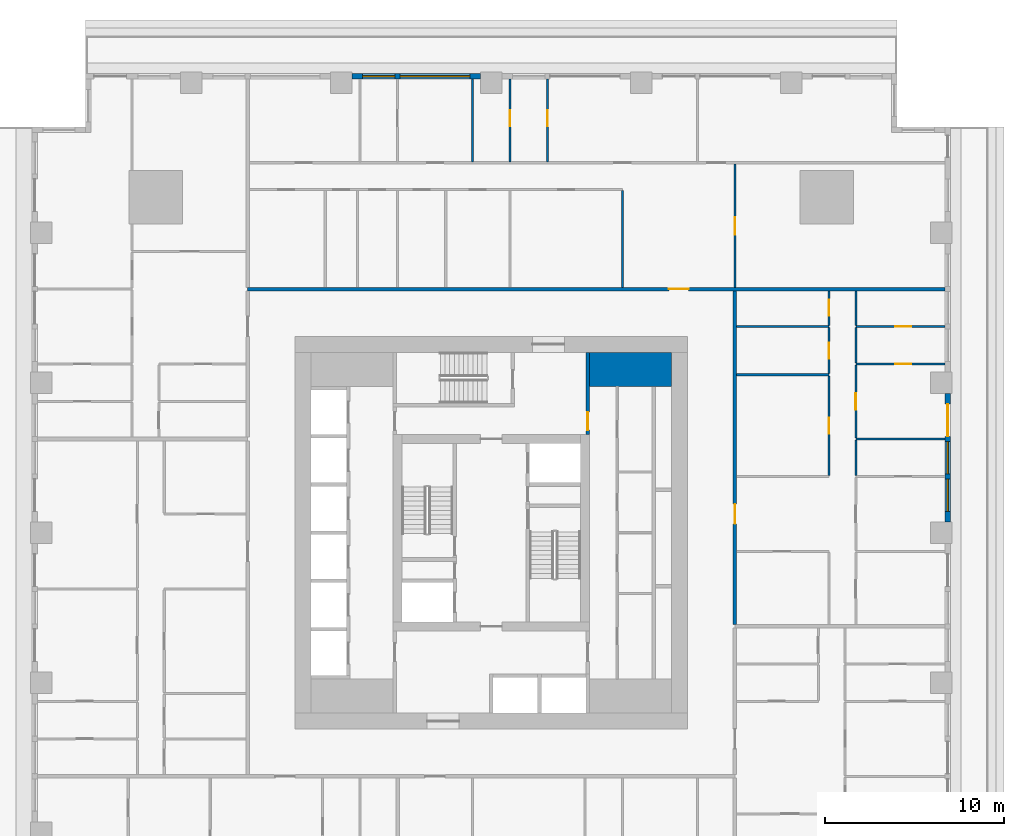
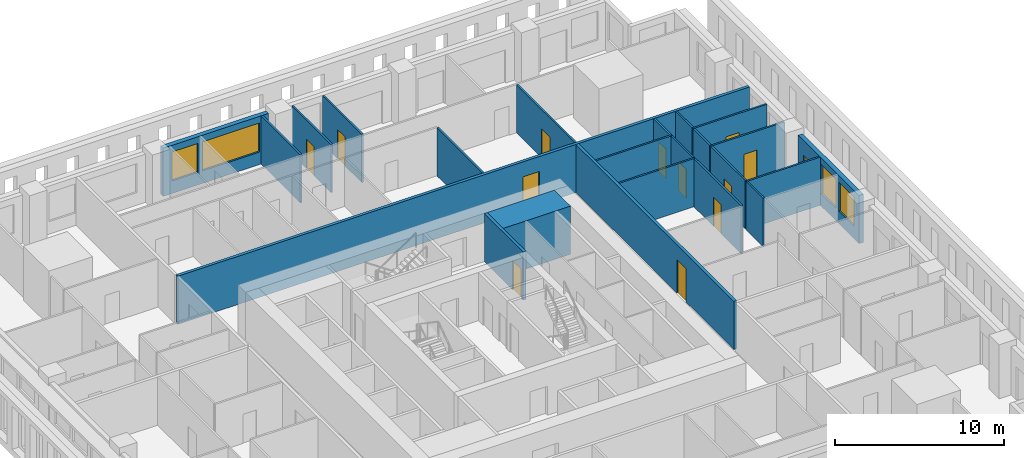
# One storey, part 8 of 14: 23 walls, 13 doors, 4 windows, 17 openings.
"""IFC4 building model written with IfcOpenShell, lengths in metres."""

from ifc_helpers import new_model, si_unit, direction, frame, frame_2d, origin, place, context, subcontext, project, spatial, rectangle, extrude, material, layer, layer_set, type_object, element, fill, save


model = new_model("IFC4")

# Units and contexts
model_context = context("Model", 3, precision=1e-05, world=origin(), true_north=direction((0.0, 1.0)))
body_context = subcontext(model_context, "Body", "Model", "MODEL_VIEW")
ifc_project = project(units=[si_unit("LENGTHUNIT", "METRE"), si_unit("AREAUNIT", "SQUARE_METRE"), si_unit("VOLUMEUNIT", "CUBIC_METRE"), si_unit("PLANEANGLEUNIT", "RADIAN"), si_unit("MASSUNIT", "GRAM", prefix="KILO")], contexts=[model_context])

# Site, building, storey
site_placement = place(None, origin())
site = spatial("IfcSite", under=ifc_project, at=site_placement, CompositionType="ELEMENT")
building_placement = place(site_placement, origin())
building = spatial("IfcBuilding", under=site, at=building_placement, Name="Khepri Terraces", CompositionType="ELEMENT")
storey_placement = place(building_placement, frame((0.0, 0.0, 62.10009765625)))
storey = spatial("IfcBuildingStorey", under=building, at=storey_placement, Name="L14", CompositionType="ELEMENT", Elevation=62.10009765625)

# Wall
ifc_material_1 = material(Name="Concrete C80/95", Category="concrete")
ifc_layer_1 = layer(ifc_material_1, 1.89990234375, Name="Concrete C80/95", Category="concrete")
ifc_layer_set_1 = layer_set([ifc_layer_1], Name="Concrete C80/95")
wall_type_1 = type_object("IfcWallType", Name="Core wall 1900 C80/95", PredefinedType="SHEAR", material=ifc_layer_set_1)
wall_1_placement = place(storey_placement, frame((5.5, 9.14990234375, 0.0), z_axis=(0.0, 0.0, 1.0), x_axis=(1.0, 0.0, 0.0)))
element("IfcWall", 1, at=wall_1_placement, inside=storey, type_object=wall_type_1, Name="Core wall PR04 L14", PredefinedType="SHEAR", context=body_context, shape_type="SweptSolid", body=[
    extrude(rectangle(XDim=4.60009765625, YDim=1.89990234375, at=frame_2d((2.300048828125, 0.0))), origin(), (0.0, 0.0, 1.0), 3.47998046875),
])

# Wall, opening, door
ifc_material_2 = material(Name="Fire-rated gypsum board partition")
ifc_layer_2 = layer(ifc_material_2, 0.199951171875, Name="Fire-rated gypsum board partition")
ifc_layer_set_2 = layer_set([ifc_layer_2], Name="Fire-rated gypsum board partition")
wall_type_2 = type_object("IfcWallType", Name="WL-CORE-PART-200", PredefinedType="PARTITIONING", material=ifc_layer_set_2)
wall_2_placement = place(storey_placement, frame((5.39990234375, 5.5, 0.0), z_axis=(0.0, 0.0, 1.0), x_axis=(0.0, 1.0, 0.0)))
wall_2 = element("IfcWall", 2, at=wall_2_placement, inside=storey, type_object=wall_type_2, Name="Core partition PT08 L14", PredefinedType="PARTITIONING", context=body_context, shape_type="SweptSolid", body=[
    extrude(rectangle(XDim=4.60009765625, YDim=0.199951171875, at=frame_2d((2.300048828125, 0.0))), origin(), (0.0, 0.0, 1.0), 3.47998046875),
])
opening_1_placement = place(wall_2_placement, frame((0.25, 0.0, 0.0)))
opening_1 = element("IfcOpeningElement", 3, at=opening_1_placement, cuts=wall_2, Name="Opening L14-C17", PredefinedType="OPENING", context=body_context, shape_type="SweptSolid", body=[
    extrude(rectangle(XDim=1.0, YDim=2.10009765625, at=frame_2d((0.5, 1.050048828125))), frame((0.0, 0.10986328125, 0.0), z_axis=(0.0, -1.0, 0.0), x_axis=(1.0, 0.0, 0.0)), (0.0, 0.0, 1.0), 0.219970703125),
])
ifc_material_3 = material(Name="Painted steel", Category="steel")
door_type_1 = type_object("IfcDoorType", Name="DR-CORE-LOBBY-1000", OperationType="NOTDEFINED", PredefinedType="DOOR", material=ifc_material_3)
door_1_placement = place(opening_1_placement, origin())
door_1 = element("IfcDoor", 4, at=door_1_placement, inside=storey, type_object=door_type_1, Name="Lobby door L14-C17", OperationType="SINGLE_SWING_LEFT", OverallHeight=2.10009765625, OverallWidth=1.0, PredefinedType="DOOR", context=body_context, shape_type="SweptSolid", body=[
    extrude(rectangle(XDim=1.0, YDim=2.10009765625, at=frame_2d((0.5, 1.050048828125))), frame((0.0, 0.02490234375, 0.0), z_axis=(0.0, -1.0, 0.0), x_axis=(1.0, 0.0, 0.0)), (0.0, 0.0, 1.0), 0.050048828125),
])
fill(opening_1, door_1)

ifc_material_4 = material(Name="Fire-rated gypsum plasterboard partition, mineral wool")
ifc_layer_3 = layer(ifc_material_4, 0.199951171875, Name="Fire-rated gypsum plasterboard partition, mineral wool")
ifc_layer_set_3 = layer_set([ifc_layer_3], Name="Fire-rated gypsum plasterboard partition, mineral wool")
wall_type_3 = type_object("IfcWallType", Name="WL-CORR-200", PredefinedType="PARTITIONING", material=ifc_layer_set_3)
wall_3_placement = place(storey_placement, frame((13.64990234375, -5.14990234375, 0.0), z_axis=(0.0, 0.0, 1.0), x_axis=(0.0, 1.0, 0.0)))
wall_3 = element("IfcWall", 5, at=wall_3_placement, inside=storey, type_object=wall_type_3, Name="Partition P-042 L14", PredefinedType="PARTITIONING", context=body_context, shape_type="SweptSolid", body=[
    extrude(rectangle(XDim=18.699951171875, YDim=0.199951171875, at=frame_2d((9.35009765625, 0.0))), origin(), (0.0, 0.0, 1.0), 3.47998046875),
])
opening_2_placement = place(wall_3_placement, frame((5.64990234375, 0.0, 0.0)))
opening_2 = element("IfcOpeningElement", 6, at=opening_2_placement, cuts=wall_3, Name="Opening D1", PredefinedType="OPENING", context=body_context, shape_type="SweptSolid", body=[
    extrude(rectangle(XDim=1.10009765625, YDim=2.39990234375, at=frame_2d((0.550048828125, 1.199951171875))), frame((0.0, 0.10986328125, 0.0), z_axis=(0.0, -1.0, 0.0), x_axis=(1.0, 0.0, 0.0)), (0.0, 0.0, 1.0), 0.219970703125),
])
ifc_material_5 = material(Name="Solid-core timber door leaf, flat entrance door", Category="wood")
door_type_2 = type_object("IfcDoorType", Name="DR-ENT-1100", OperationType="NOTDEFINED", PredefinedType="DOOR", material=ifc_material_5)
door_2_placement = place(opening_2_placement, frame((1.10009765625, 0.0, 0.0), z_axis=(0.0, 0.0, 1.0), x_axis=(-1.0, 0.0, 0.0)))
door_2 = element("IfcDoor", 7, at=door_2_placement, inside=storey, type_object=door_type_2, Name="Flat B2 entrance door", OperationType="SINGLE_SWING_RIGHT", OverallHeight=2.39990234375, OverallWidth=1.10009765625, PredefinedType="DOOR", context=body_context, shape_type="SweptSolid", body=[
    extrude(rectangle(XDim=1.10009765625, YDim=2.39990234375, at=frame_2d((0.550048828125, 1.199951171875))), frame((0.0, 0.02490234375, 0.0), z_axis=(0.0, -1.0, 0.0), x_axis=(1.0, 0.0, 0.0)), (0.0, 0.0, 1.0), 0.050048828125),
])
fill(opening_2, door_2)

wall_4_placement = place(storey_placement, frame((-13.64990234375, 13.64990234375, 0.0), z_axis=(0.0, 0.0, 1.0), x_axis=(1.0, 0.0, 0.0)))
wall_4 = element("IfcWall", 8, at=wall_4_placement, inside=storey, type_object=wall_type_3, Name="Partition P-079 L14", PredefinedType="PARTITIONING", context=body_context, shape_type="SweptSolid", body=[
    extrude(rectangle(XDim=39.06982421875, YDim=0.199951171875, at=frame_2d((19.534912109375, 0.0))), origin(), (0.0, 0.0, 1.0), 3.47998046875),
])
opening_3_placement = place(wall_4_placement, frame((23.60009765625, 0.0, 0.0)))
opening_3 = element("IfcOpeningElement", 9, at=opening_3_placement, cuts=wall_4, Name="Opening D1", PredefinedType="OPENING", context=body_context, shape_type="SweptSolid", body=[
    extrude(rectangle(XDim=1.10009765625, YDim=2.39990234375, at=frame_2d((0.550048828125, 1.199951171875))), frame((0.0, 0.10986328125, 0.0), z_axis=(0.0, -1.0, 0.0), x_axis=(1.0, 0.0, 0.0)), (0.0, 0.0, 1.0), 0.219970703125),
])
door_3_placement = place(opening_3_placement, origin())
door_3 = element("IfcDoor", 10, at=door_3_placement, inside=storey, type_object=door_type_2, Name="Flat C1 entrance door", OperationType="SINGLE_SWING_RIGHT", OverallHeight=2.39990234375, OverallWidth=1.10009765625, PredefinedType="DOOR", context=body_context, shape_type="SweptSolid", body=[
    extrude(rectangle(XDim=1.10009765625, YDim=2.39990234375, at=frame_2d((0.550048828125, 1.199951171875))), frame((0.0, 0.02490234375, 0.0), z_axis=(0.0, -1.0, 0.0), x_axis=(1.0, 0.0, 0.0)), (0.0, 0.0, 1.0), 0.050048828125),
])
fill(opening_3, door_3)

# Wall, openings, door, windows
ifc_material_6 = material(Name="Precast concrete C50/60 warm stone", Category="masonry")
ifc_layer_4 = layer(ifc_material_6, 0.300048828125, Name="Precast concrete C50/60 warm stone", Category="masonry")
ifc_layer_set_4 = layer_set([ifc_layer_4], Name="Precast concrete C50/60 warm stone")
wall_type_4 = type_object("IfcWallType", Name="WL-EXT-PRECAST-300", PredefinedType="STANDARD", material=ifc_layer_set_4)
wall_5_placement = place(storey_placement, frame((25.570068359375, 0.60009765625, 0.0), z_axis=(0.0, 0.0, 1.0), x_axis=(0.0, 1.0, 0.0)))
wall_5 = element("IfcWall", 11, at=wall_5_placement, inside=storey, type_object=wall_type_4, Name="External wall L14 E", PredefinedType="STANDARD", context=body_context, shape_type="SweptSolid", body=[
    extrude(rectangle(XDim=7.199951171875, YDim=0.300048828125, at=frame_2d((3.60009765625, 0.0))), origin(), (0.0, 0.0, 1.0), 3.47998046875),
])
opening_4_placement = place(wall_5_placement, frame((0.60009765625, 0.0, 0.89990234375)))
opening_4 = element("IfcOpeningElement", 12, at=opening_4_placement, cuts=wall_5, Name="Opening W1", PredefinedType="OPENING", context=body_context, shape_type="SweptSolid", body=[
    extrude(rectangle(XDim=1.800048828125, YDim=2.10009765625, at=frame_2d((0.89990234375, 1.050048828125))), frame((0.0, 0.16015625, 0.0), z_axis=(0.0, -1.0, 0.0), x_axis=(1.0, 0.0, 0.0)), (0.0, 0.0, 1.0), 0.320068359375),
])
opening_5_placement = place(wall_5_placement, frame((2.699951171875, 0.0, 0.89990234375)))
opening_5 = element("IfcOpeningElement", 13, at=opening_5_placement, cuts=wall_5, Name="Opening W1", PredefinedType="OPENING", context=body_context, shape_type="SweptSolid", body=[
    extrude(rectangle(XDim=1.800048828125, YDim=2.10009765625, at=frame_2d((0.89990234375, 1.050048828125))), frame((0.0, 0.16015625, 0.0), z_axis=(0.0, -1.0, 0.0), x_axis=(1.0, 0.0, 0.0)), (0.0, 0.0, 1.0), 0.320068359375),
])
opening_6_placement = place(wall_5_placement, frame((4.800048828125, 0.0, 0.0)))
opening_6 = element("IfcOpeningElement", 14, at=opening_6_placement, cuts=wall_5, Name="Opening ED-L14-05", PredefinedType="OPENING", context=body_context, shape_type="SweptSolid", body=[
    extrude(rectangle(XDim=1.800048828125, YDim=2.39990234375, at=frame_2d((0.89990234375, 1.199951171875))), frame((0.0, 0.16015625, 0.0), z_axis=(0.0, -1.0, 0.0), x_axis=(1.0, 0.0, 0.0)), (0.0, 0.0, 1.0), 0.320068359375),
])
ifc_material_7 = material(Name="Anodised aluminium bronze glazed door", Category="aluminium")
door_type_3 = type_object("IfcDoorType", Name="DR-BAL-SLIDE-1800x2400", OperationType="NOTDEFINED", PredefinedType="DOOR", material=ifc_material_7)
door_4_placement = place(opening_6_placement, origin())
door_4 = element("IfcDoor", 15, at=door_4_placement, inside=storey, type_object=door_type_3, Name="Balcony door L14 E", OperationType="SLIDING_TO_RIGHT", OverallHeight=2.39990234375, OverallWidth=1.800048828125, PredefinedType="DOOR", context=body_context, shape_type="SweptSolid", body=[
    extrude(rectangle(XDim=1.800048828125, YDim=2.39990234375, at=frame_2d((0.89990234375, 1.199951171875))), frame((0.0, 0.02490234375, 0.0), z_axis=(0.0, -1.0, 0.0), x_axis=(1.0, 0.0, 0.0)), (0.0, 0.0, 1.0), 0.050048828125),
])
fill(opening_6, door_4)
ifc_material_8 = material(Name="Clear glass", Category="glass")
window_type_1 = type_object("IfcWindowType", Name="WIN-RES-1800x2100", PartitioningType="SINGLE_PANEL", PredefinedType="WINDOW", material=ifc_material_8)
window_1_placement = place(opening_4_placement, origin())
window_1 = element("IfcWindow", 16, at=window_1_placement, inside=storey, type_object=window_type_1, Name="Window L14 E", OverallHeight=2.10009765625, OverallWidth=1.800048828125, PartitioningType="SINGLE_PANEL", PredefinedType="WINDOW", context=body_context, shape_type="SweptSolid", body=[
    extrude(rectangle(XDim=1.800048828125, YDim=2.10009765625, at=frame_2d((0.89990234375, 1.050048828125))), frame((0.0, 0.030029296875, 0.0), z_axis=(0.0, -1.0, 0.0), x_axis=(1.0, 0.0, 0.0)), (0.0, 0.0, 1.0), 0.06005859375),
])
fill(opening_4, window_1)
window_2_placement = place(opening_5_placement, origin())
window_2 = element("IfcWindow", 17, at=window_2_placement, inside=storey, type_object=window_type_1, Name="Window L14 E", OverallHeight=2.10009765625, OverallWidth=1.800048828125, PartitioningType="SINGLE_PANEL", PredefinedType="WINDOW", context=body_context, shape_type="SweptSolid", body=[
    extrude(rectangle(XDim=1.800048828125, YDim=2.10009765625, at=frame_2d((0.89990234375, 1.050048828125))), frame((0.0, 0.030029296875, 0.0), z_axis=(0.0, -1.0, 0.0), x_axis=(1.0, 0.0, 0.0)), (0.0, 0.0, 1.0), 0.06005859375),
])
fill(opening_5, window_2)

# Wall, openings, windows
wall_6_placement = place(storey_placement, frame((-0.60009765625, 25.570068359375, 0.0), z_axis=(0.0, 0.0, 1.0), x_axis=(-1.0, 0.0, 0.0)))
wall_6 = element("IfcWall", 18, at=wall_6_placement, inside=storey, type_object=wall_type_4, Name="External wall L14 N", PredefinedType="STANDARD", context=body_context, shape_type="SweptSolid", body=[
    extrude(rectangle(XDim=7.199951171875, YDim=0.300048828125, at=frame_2d((3.60009765625, 0.0))), origin(), (0.0, 0.0, 1.0), 3.47998046875),
])
opening_7_placement = place(wall_6_placement, frame((0.60009765625, 0.0, 0.89990234375)))
opening_7 = element("IfcOpeningElement", 19, at=opening_7_placement, cuts=wall_6, Name="Opening W2", PredefinedType="OPENING", context=body_context, shape_type="SweptSolid", body=[
    extrude(rectangle(XDim=3.89990234375, YDim=2.10009765625, at=frame_2d((1.949951171875, 1.050048828125))), frame((0.0, 0.16015625, 0.0), z_axis=(0.0, -1.0, 0.0), x_axis=(1.0, 0.0, 0.0)), (0.0, 0.0, 1.0), 0.320068359375),
])
opening_8_placement = place(wall_6_placement, frame((4.800048828125, 0.0, 0.89990234375)))
opening_8 = element("IfcOpeningElement", 20, at=opening_8_placement, cuts=wall_6, Name="Opening W1", PredefinedType="OPENING", context=body_context, shape_type="SweptSolid", body=[
    extrude(rectangle(XDim=1.800048828125, YDim=2.10009765625, at=frame_2d((0.89990234375, 1.050048828125))), frame((0.0, 0.16015625, 0.0), z_axis=(0.0, -1.0, 0.0), x_axis=(1.0, 0.0, 0.0)), (0.0, 0.0, 1.0), 0.320068359375),
])
window_3_placement = place(opening_8_placement, origin())
window_3 = element("IfcWindow", 21, at=window_3_placement, inside=storey, type_object=window_type_1, Name="Window L14 N", OverallHeight=2.10009765625, OverallWidth=1.800048828125, PartitioningType="SINGLE_PANEL", PredefinedType="WINDOW", context=body_context, shape_type="SweptSolid", body=[
    extrude(rectangle(XDim=1.800048828125, YDim=2.10009765625, at=frame_2d((0.89990234375, 1.050048828125))), frame((0.0, 0.030029296875, 0.0), z_axis=(0.0, -1.0, 0.0), x_axis=(1.0, 0.0, 0.0)), (0.0, 0.0, 1.0), 0.06005859375),
])
fill(opening_8, window_3)
window_type_2 = type_object("IfcWindowType", Name="WIN-RES-3900x2100", PartitioningType="SINGLE_PANEL", PredefinedType="WINDOW", material=ifc_material_8)
window_4_placement = place(opening_7_placement, origin())
window_4 = element("IfcWindow", 22, at=window_4_placement, inside=storey, type_object=window_type_2, Name="Window L14 N", OverallHeight=2.10009765625, OverallWidth=3.89990234375, PartitioningType="SINGLE_PANEL", PredefinedType="WINDOW", context=body_context, shape_type="SweptSolid", body=[
    extrude(rectangle(XDim=3.89990234375, YDim=2.10009765625, at=frame_2d((1.949951171875, 1.050048828125))), frame((0.0, 0.030029296875, 0.0), z_axis=(0.0, -1.0, 0.0), x_axis=(1.0, 0.0, 0.0)), (0.0, 0.0, 1.0), 0.06005859375),
])
fill(opening_7, window_4)

# Wall, opening, door
ifc_material_9 = material(Name="Gypsum plasterboard partition")
ifc_layer_5 = layer(ifc_material_9, 0.1201171875, Name="Gypsum plasterboard partition")
ifc_layer_set_5 = layer_set([ifc_layer_5], Name="Gypsum plasterboard partition")
wall_type_5 = type_object("IfcWallType", Name="WL-PART-120", PredefinedType="PARTITIONING", material=ifc_layer_set_5)
wall_7_placement = place(storey_placement, frame((18.919921875, 3.2099609375, 0.0), z_axis=(0.0, 0.0, 1.0), x_axis=(0.0, 1.0, 0.0)))
wall_7 = element("IfcWall", 23, at=wall_7_placement, inside=storey, type_object=wall_type_5, Name="Partition P-055 L14", PredefinedType="PARTITIONING", context=body_context, shape_type="SweptSolid", body=[
    extrude(rectangle(XDim=5.580078125, YDim=0.1201171875, at=frame_2d((2.7900390625, 0.0))), origin(), (0.0, 0.0, 1.0), 3.47998046875),
])
opening_9_placement = place(wall_7_placement, frame((2.340087890625, 0.0, 0.0)))
opening_9 = element("IfcOpeningElement", 24, at=opening_9_placement, cuts=wall_7, Name="Opening D3", PredefinedType="OPENING", context=body_context, shape_type="SweptSolid", body=[
    extrude(rectangle(XDim=0.89990234375, YDim=2.10009765625, at=frame_2d((0.449951171875, 1.050048828125))), frame((0.0, 0.070068359375, 0.0), z_axis=(0.0, -1.0, 0.0), x_axis=(1.0, 0.0, 0.0)), (0.0, 0.0, 1.0), 0.14013671875),
])
ifc_material_10 = material(Name="Timber door leaf", Category="wood")
door_type_4 = type_object("IfcDoorType", Name="DR-INT-900", OperationType="NOTDEFINED", PredefinedType="DOOR", material=ifc_material_10)
door_5_placement = place(opening_9_placement, origin())
door_5 = element("IfcDoor", 25, at=door_5_placement, inside=storey, type_object=door_type_4, Name="Door Kitchen", OperationType="SINGLE_SWING_RIGHT", OverallHeight=2.10009765625, OverallWidth=0.89990234375, PredefinedType="DOOR", context=body_context, shape_type="SweptSolid", body=[
    extrude(rectangle(XDim=0.89990234375, YDim=2.10009765625, at=frame_2d((0.449951171875, 1.050048828125))), frame((0.0, 0.02490234375, 0.0), z_axis=(0.0, -1.0, 0.0), x_axis=(1.0, 0.0, 0.0)), (0.0, 0.0, 1.0), 0.050048828125),
])
fill(opening_9, door_5)

# Walls
wall_8_placement = place(storey_placement, frame((20.419921875, 3.2099609375, 0.0), z_axis=(0.0, 0.0, 1.0), x_axis=(0.0, 1.0, 0.0)))
element("IfcWall", 26, at=wall_8_placement, inside=storey, type_object=wall_type_5, Name="Partition P-056 L14", PredefinedType="PARTITIONING", context=body_context, shape_type="SweptSolid", body=[
    extrude(rectangle(XDim=1.97998046875, YDim=0.1201171875, at=frame_2d((0.989990234375, 0.0))), origin(), (0.0, 0.0, 1.0), 3.47998046875),
])
wall_9_placement = place(storey_placement, frame((20.419921875, 5.25, 0.0), z_axis=(0.0, 0.0, 1.0), x_axis=(1.0, 0.0, 0.0)))
element("IfcWall", 27, at=wall_9_placement, inside=storey, type_object=wall_type_5, Name="Partition P-058 L14", PredefinedType="PARTITIONING", context=body_context, shape_type="SweptSolid", body=[
    extrude(rectangle(XDim=5.0, YDim=0.1201171875, at=frame_2d((2.5, 0.0))), origin(), (0.0, 0.0, 1.0), 3.47998046875),
])

# Wall, opening, door
wall_10_placement = place(storey_placement, frame((20.419921875, 5.31005859375, 0.0), z_axis=(0.0, 0.0, 1.0), x_axis=(0.0, 1.0, 0.0)))
wall_10 = element("IfcWall", 28, at=wall_10_placement, inside=storey, type_object=wall_type_5, Name="Partition P-059 L14", PredefinedType="PARTITIONING", context=body_context, shape_type="SweptSolid", body=[
    extrude(rectangle(XDim=4.079833984375, YDim=0.1201171875, at=frame_2d((2.0400390625, 0.0))), origin(), (0.0, 0.0, 1.0), 3.47998046875),
])
opening_10_placement = place(wall_10_placement, frame((1.590087890625, 0.0, 0.0)))
opening_10 = element("IfcOpeningElement", 29, at=opening_10_placement, cuts=wall_10, Name="Opening D3", PredefinedType="OPENING", context=body_context, shape_type="SweptSolid", body=[
    extrude(rectangle(XDim=0.89990234375, YDim=2.10009765625, at=frame_2d((0.449951171875, 1.050048828125))), frame((0.0, 0.070068359375, 0.0), z_axis=(0.0, -1.0, 0.0), x_axis=(1.0, 0.0, 0.0)), (0.0, 0.0, 1.0), 0.14013671875),
])
door_6_placement = place(opening_10_placement, frame((0.89990234375, 0.0, 0.0), z_axis=(0.0, 0.0, 1.0), x_axis=(-1.0, 0.0, 0.0)))
door_6 = element("IfcDoor", 30, at=door_6_placement, inside=storey, type_object=door_type_4, Name="Door Master Bedroom", OperationType="SINGLE_SWING_RIGHT", OverallHeight=2.10009765625, OverallWidth=0.89990234375, PredefinedType="DOOR", context=body_context, shape_type="SweptSolid", body=[
    extrude(rectangle(XDim=0.89990234375, YDim=2.10009765625, at=frame_2d((0.449951171875, 1.050048828125))), frame((0.0, 0.02490234375, 0.0), z_axis=(0.0, -1.0, 0.0), x_axis=(1.0, 0.0, 0.0)), (0.0, 0.0, 1.0), 0.050048828125),
])
fill(opening_10, door_6)

# Wall
wall_11_placement = place(storey_placement, frame((13.75, 8.85009765625, 0.0), z_axis=(0.0, 0.0, 1.0), x_axis=(1.0, 0.0, 0.0)))
element("IfcWall", 31, at=wall_11_placement, inside=storey, type_object=wall_type_5, Name="Partition P-067 L14", PredefinedType="PARTITIONING", context=body_context, shape_type="SweptSolid", body=[
    extrude(rectangle(XDim=5.169921875, YDim=0.1201171875, at=frame_2d((2.5849609375, 0.0))), origin(), (0.0, 0.0, 1.0), 3.47998046875),
])

# Wall, opening, door
wall_12_placement = place(storey_placement, frame((18.919921875, 8.909912109375, 0.0), z_axis=(0.0, 0.0, 1.0), x_axis=(0.0, 1.0, 0.0)))
wall_12 = element("IfcWall", 32, at=wall_12_placement, inside=storey, type_object=wall_type_5, Name="Partition P-068 L14", PredefinedType="PARTITIONING", context=body_context, shape_type="SweptSolid", body=[
    extrude(rectangle(XDim=2.580078125, YDim=0.1201171875, at=frame_2d((1.2900390625, 0.0))), origin(), (0.0, 0.0, 1.0), 3.47998046875),
])
opening_11_placement = place(wall_12_placement, frame((0.840087890625, 0.0, 0.0)))
opening_11 = element("IfcOpeningElement", 33, at=opening_11_placement, cuts=wall_12, Name="Opening D4", PredefinedType="OPENING", context=body_context, shape_type="SweptSolid", body=[
    extrude(rectangle(XDim=0.89990234375, YDim=2.10009765625, at=frame_2d((0.449951171875, 1.050048828125))), frame((0.0, 0.070068359375, 0.0), z_axis=(0.0, -1.0, 0.0), x_axis=(1.0, 0.0, 0.0)), (0.0, 0.0, 1.0), 0.14013671875),
])
ifc_material_11 = material(Name="Timber door leaf, moisture resistant", Category="wood")
door_type_5 = type_object("IfcDoorType", Name="DR-WET-900", OperationType="NOTDEFINED", PredefinedType="DOOR", material=ifc_material_11)
door_7_placement = place(opening_11_placement, origin())
door_7 = element("IfcDoor", 34, at=door_7_placement, inside=storey, type_object=door_type_5, Name="Door Powder Room", OperationType="SINGLE_SWING_LEFT", OverallHeight=2.10009765625, OverallWidth=0.89990234375, PredefinedType="DOOR", context=body_context, shape_type="SweptSolid", body=[
    extrude(rectangle(XDim=0.89990234375, YDim=2.10009765625, at=frame_2d((0.449951171875, 1.050048828125))), frame((0.0, 0.02490234375, 0.0), z_axis=(0.0, -1.0, 0.0), x_axis=(1.0, 0.0, 0.0)), (0.0, 0.0, 1.0), 0.050048828125),
])
fill(opening_11, door_7)

wall_13_placement = place(storey_placement, frame((20.419921875, 9.449951171875, 0.0), z_axis=(0.0, 0.0, 1.0), x_axis=(1.0, 0.0, 0.0)))
wall_13 = element("IfcWall", 35, at=wall_13_placement, inside=storey, type_object=wall_type_5, Name="Partition P-071 L14", PredefinedType="PARTITIONING", context=body_context, shape_type="SweptSolid", body=[
    extrude(rectangle(XDim=5.0, YDim=0.1201171875, at=frame_2d((2.5, 0.0))), origin(), (0.0, 0.0, 1.0), 3.47998046875),
])
opening_12_placement = place(wall_13_placement, frame((2.199951171875, 0.0, 0.0)))
opening_12 = element("IfcOpeningElement", 36, at=opening_12_placement, cuts=wall_13, Name="Opening D3", PredefinedType="OPENING", context=body_context, shape_type="SweptSolid", body=[
    extrude(rectangle(XDim=0.89990234375, YDim=2.10009765625, at=frame_2d((0.449951171875, 1.050048828125))), frame((0.0, 0.070068359375, 0.0), z_axis=(0.0, -1.0, 0.0), x_axis=(1.0, 0.0, 0.0)), (0.0, 0.0, 1.0), 0.14013671875),
])
door_8_placement = place(opening_12_placement, origin())
door_8 = element("IfcDoor", 37, at=door_8_placement, inside=storey, type_object=door_type_4, Name="Door Dressing Room", OperationType="SINGLE_SWING_RIGHT", OverallHeight=2.10009765625, OverallWidth=0.89990234375, PredefinedType="DOOR", context=body_context, shape_type="SweptSolid", body=[
    extrude(rectangle(XDim=0.89990234375, YDim=2.10009765625, at=frame_2d((0.449951171875, 1.050048828125))), frame((0.0, 0.02490234375, 0.0), z_axis=(0.0, -1.0, 0.0), x_axis=(1.0, 0.0, 0.0)), (0.0, 0.0, 1.0), 0.050048828125),
])
fill(opening_12, door_8)

# Walls
wall_14_placement = place(storey_placement, frame((20.419921875, 9.510009765625, 0.0), z_axis=(0.0, 0.0, 1.0), x_axis=(0.0, 1.0, 0.0)))
element("IfcWall", 38, at=wall_14_placement, inside=storey, type_object=wall_type_5, Name="Partition P-073 L14", PredefinedType="PARTITIONING", context=body_context, shape_type="SweptSolid", body=[
    extrude(rectangle(XDim=1.97998046875, YDim=0.1201171875, at=frame_2d((0.989990234375, 0.0))), origin(), (0.0, 0.0, 1.0), 3.47998046875),
])
wall_15_placement = place(storey_placement, frame((13.75, 11.550048828125, 0.0), z_axis=(0.0, 0.0, 1.0), x_axis=(1.0, 0.0, 0.0)))
element("IfcWall", 39, at=wall_15_placement, inside=storey, type_object=wall_type_5, Name="Partition P-074 L14", PredefinedType="PARTITIONING", context=body_context, shape_type="SweptSolid", body=[
    extrude(rectangle(XDim=5.169921875, YDim=0.1201171875, at=frame_2d((2.5849609375, 0.0))), origin(), (0.0, 0.0, 1.0), 3.47998046875),
])

# Wall, opening, door
wall_16_placement = place(storey_placement, frame((20.419921875, 11.550048828125, 0.0), z_axis=(0.0, 0.0, 1.0), x_axis=(1.0, 0.0, 0.0)))
wall_16 = element("IfcWall", 40, at=wall_16_placement, inside=storey, type_object=wall_type_5, Name="Partition P-075 L14", PredefinedType="PARTITIONING", context=body_context, shape_type="SweptSolid", body=[
    extrude(rectangle(XDim=5.0, YDim=0.1201171875, at=frame_2d((2.5, 0.0))), origin(), (0.0, 0.0, 1.0), 3.47998046875),
])
opening_13_placement = place(wall_16_placement, frame((2.199951171875, 0.0, 0.0)))
opening_13 = element("IfcOpeningElement", 41, at=opening_13_placement, cuts=wall_16, Name="Opening D4", PredefinedType="OPENING", context=body_context, shape_type="SweptSolid", body=[
    extrude(rectangle(XDim=0.89990234375, YDim=2.10009765625, at=frame_2d((0.449951171875, 1.050048828125))), frame((0.0, 0.070068359375, 0.0), z_axis=(0.0, -1.0, 0.0), x_axis=(1.0, 0.0, 0.0)), (0.0, 0.0, 1.0), 0.14013671875),
])
door_9_placement = place(opening_13_placement, origin())
door_9 = element("IfcDoor", 42, at=door_9_placement, inside=storey, type_object=door_type_5, Name="Door Bathroom", OperationType="SINGLE_SWING_RIGHT", OverallHeight=2.10009765625, OverallWidth=0.89990234375, PredefinedType="DOOR", context=body_context, shape_type="SweptSolid", body=[
    extrude(rectangle(XDim=0.89990234375, YDim=2.10009765625, at=frame_2d((0.449951171875, 1.050048828125))), frame((0.0, 0.02490234375, 0.0), z_axis=(0.0, -1.0, 0.0), x_axis=(1.0, 0.0, 0.0)), (0.0, 0.0, 1.0), 0.050048828125),
])
fill(opening_13, door_9)

wall_17_placement = place(storey_placement, frame((18.919921875, 11.610107421875, 0.0), z_axis=(0.0, 0.0, 1.0), x_axis=(0.0, 1.0, 0.0)))
wall_17 = element("IfcWall", 43, at=wall_17_placement, inside=storey, type_object=wall_type_5, Name="Partition P-076 L14", PredefinedType="PARTITIONING", context=body_context, shape_type="SweptSolid", body=[
    extrude(rectangle(XDim=1.93994140625, YDim=0.1201171875, at=frame_2d((0.969970703125, 0.0))), origin(), (0.0, 0.0, 1.0), 3.47998046875),
])
opening_14_placement = place(wall_17_placement, frame((0.5400390625, 0.0, 0.0)))
opening_14 = element("IfcOpeningElement", 44, at=opening_14_placement, cuts=wall_17, Name="Opening D4", PredefinedType="OPENING", context=body_context, shape_type="SweptSolid", body=[
    extrude(rectangle(XDim=0.89990234375, YDim=2.10009765625, at=frame_2d((0.449951171875, 1.050048828125))), frame((0.0, 0.070068359375, 0.0), z_axis=(0.0, -1.0, 0.0), x_axis=(1.0, 0.0, 0.0)), (0.0, 0.0, 1.0), 0.14013671875),
])
door_10_placement = place(opening_14_placement, origin())
door_10 = element("IfcDoor", 45, at=door_10_placement, inside=storey, type_object=door_type_5, Name="Door Guest Bathroom", OperationType="SINGLE_SWING_RIGHT", OverallHeight=2.10009765625, OverallWidth=0.89990234375, PredefinedType="DOOR", context=body_context, shape_type="SweptSolid", body=[
    extrude(rectangle(XDim=0.89990234375, YDim=2.10009765625, at=frame_2d((0.449951171875, 1.050048828125))), frame((0.0, 0.02490234375, 0.0), z_axis=(0.0, -1.0, 0.0), x_axis=(1.0, 0.0, 0.0)), (0.0, 0.0, 1.0), 0.050048828125),
])
fill(opening_14, door_10)

# Walls
wall_18_placement = place(storey_placement, frame((20.419921875, 11.610107421875, 0.0), z_axis=(0.0, 0.0, 1.0), x_axis=(0.0, 1.0, 0.0)))
element("IfcWall", 46, at=wall_18_placement, inside=storey, type_object=wall_type_5, Name="Partition P-077 L14", PredefinedType="PARTITIONING", context=body_context, shape_type="SweptSolid", body=[
    extrude(rectangle(XDim=1.93994140625, YDim=0.1201171875, at=frame_2d((0.969970703125, 0.0))), origin(), (0.0, 0.0, 1.0), 3.47998046875),
])
wall_19_placement = place(storey_placement, frame((7.35009765625, 13.75, 0.0), z_axis=(0.0, 0.0, 1.0), x_axis=(0.0, 1.0, 0.0)))
element("IfcWall", 47, at=wall_19_placement, inside=storey, type_object=wall_type_5, Name="Partition P-087 L14", PredefinedType="PARTITIONING", context=body_context, shape_type="SweptSolid", body=[
    extrude(rectangle(XDim=5.409912109375, YDim=0.1201171875, at=frame_2d((2.705078125, 0.0))), origin(), (0.0, 0.0, 1.0), 3.47998046875),
])

# Wall, opening, door
wall_20_placement = place(storey_placement, frame((13.64990234375, 13.75, 0.0), z_axis=(0.0, 0.0, 1.0), x_axis=(0.0, 1.0, 0.0)))
wall_20 = element("IfcWall", 48, at=wall_20_placement, inside=storey, type_object=wall_type_5, Name="Partition P-088 L14", PredefinedType="PARTITIONING", context=body_context, shape_type="SweptSolid", body=[
    extrude(rectangle(XDim=6.909912109375, YDim=0.1201171875, at=frame_2d((3.455078125, 0.0))), origin(), (0.0, 0.0, 1.0), 3.47998046875),
])
opening_15_placement = place(wall_20_placement, frame((2.93505859375, 0.0, 0.0)))
opening_15 = element("IfcOpeningElement", 49, at=opening_15_placement, cuts=wall_20, Name="Opening D2", PredefinedType="OPENING", context=body_context, shape_type="SweptSolid", body=[
    extrude(rectangle(XDim=1.0, YDim=2.10009765625, at=frame_2d((0.5, 1.050048828125))), frame((0.0, 0.070068359375, 0.0), z_axis=(0.0, -1.0, 0.0), x_axis=(1.0, 0.0, 0.0)), (0.0, 0.0, 1.0), 0.14013671875),
])
ifc_material_12 = material(Name="Timber door leaf, living room door", Category="wood")
door_type_6 = type_object("IfcDoorType", Name="DR-INT-1000", OperationType="NOTDEFINED", PredefinedType="DOOR", material=ifc_material_12)
door_11_placement = place(opening_15_placement, frame((1.0, 0.0, 0.0), z_axis=(0.0, 0.0, 1.0), x_axis=(-1.0, 0.0, 0.0)))
door_11 = element("IfcDoor", 50, at=door_11_placement, inside=storey, type_object=door_type_6, Name="Door Family Room", OperationType="SINGLE_SWING_RIGHT", OverallHeight=2.10009765625, OverallWidth=1.0, PredefinedType="DOOR", context=body_context, shape_type="SweptSolid", body=[
    extrude(rectangle(XDim=1.0, YDim=2.10009765625, at=frame_2d((0.5, 1.050048828125))), frame((0.0, 0.02490234375, 0.0), z_axis=(0.0, -1.0, 0.0), x_axis=(1.0, 0.0, 0.0)), (0.0, 0.0, 1.0), 0.050048828125),
])
fill(opening_15, door_11)

# Wall
wall_21_placement = place(storey_placement, frame((-1.050048828125, 20.780029296875, 0.0), z_axis=(0.0, 0.0, 1.0), x_axis=(0.0, 1.0, 0.0)))
element("IfcWall", 51, at=wall_21_placement, inside=storey, type_object=wall_type_5, Name="Partition P-096 L14", PredefinedType="PARTITIONING", context=body_context, shape_type="SweptSolid", body=[
    extrude(rectangle(XDim=4.639892578125, YDim=0.1201171875, at=frame_2d((2.31982421875, 0.0))), origin(), (0.0, 0.0, 1.0), 3.47998046875),
])

# Wall, opening, door
wall_22_placement = place(storey_placement, frame((1.050048828125, 20.780029296875, 0.0), z_axis=(0.0, 0.0, 1.0), x_axis=(0.0, 1.0, 0.0)))
wall_22 = element("IfcWall", 52, at=wall_22_placement, inside=storey, type_object=wall_type_5, Name="Partition P-097 L14", PredefinedType="PARTITIONING", context=body_context, shape_type="SweptSolid", body=[
    extrude(rectangle(XDim=4.639892578125, YDim=0.1201171875, at=frame_2d((2.31982421875, 0.0))), origin(), (0.0, 0.0, 1.0), 3.47998046875),
])
opening_16_placement = place(wall_22_placement, frame((1.989990234375, 0.0, 0.0)))
opening_16 = element("IfcOpeningElement", 53, at=opening_16_placement, cuts=wall_22, Name="Opening D4", PredefinedType="OPENING", context=body_context, shape_type="SweptSolid", body=[
    extrude(rectangle(XDim=0.89990234375, YDim=2.10009765625, at=frame_2d((0.449951171875, 1.050048828125))), frame((0.0, 0.070068359375, 0.0), z_axis=(0.0, -1.0, 0.0), x_axis=(1.0, 0.0, 0.0)), (0.0, 0.0, 1.0), 0.14013671875),
])
door_12_placement = place(opening_16_placement, origin())
door_12 = element("IfcDoor", 54, at=door_12_placement, inside=storey, type_object=door_type_5, Name="Door Bathroom", OperationType="SINGLE_SWING_RIGHT", OverallHeight=2.10009765625, OverallWidth=0.89990234375, PredefinedType="DOOR", context=body_context, shape_type="SweptSolid", body=[
    extrude(rectangle(XDim=0.89990234375, YDim=2.10009765625, at=frame_2d((0.449951171875, 1.050048828125))), frame((0.0, 0.02490234375, 0.0), z_axis=(0.0, -1.0, 0.0), x_axis=(1.0, 0.0, 0.0)), (0.0, 0.0, 1.0), 0.050048828125),
])
fill(opening_16, door_12)

wall_23_placement = place(storey_placement, frame((3.14990234375, 20.780029296875, 0.0), z_axis=(0.0, 0.0, 1.0), x_axis=(0.0, 1.0, 0.0)))
wall_23 = element("IfcWall", 55, at=wall_23_placement, inside=storey, type_object=wall_type_5, Name="Partition P-098 L14", PredefinedType="PARTITIONING", context=body_context, shape_type="SweptSolid", body=[
    extrude(rectangle(XDim=4.639892578125, YDim=0.1201171875, at=frame_2d((2.31982421875, 0.0))), origin(), (0.0, 0.0, 1.0), 3.47998046875),
])
opening_17_placement = place(wall_23_placement, frame((1.989990234375, 0.0, 0.0)))
opening_17 = element("IfcOpeningElement", 56, at=opening_17_placement, cuts=wall_23, Name="Opening D3", PredefinedType="OPENING", context=body_context, shape_type="SweptSolid", body=[
    extrude(rectangle(XDim=0.89990234375, YDim=2.10009765625, at=frame_2d((0.449951171875, 1.050048828125))), frame((0.0, 0.070068359375, 0.0), z_axis=(0.0, -1.0, 0.0), x_axis=(1.0, 0.0, 0.0)), (0.0, 0.0, 1.0), 0.14013671875),
])
door_13_placement = place(opening_17_placement, origin())
door_13 = element("IfcDoor", 57, at=door_13_placement, inside=storey, type_object=door_type_4, Name="Door Dressing Room", OperationType="SINGLE_SWING_RIGHT", OverallHeight=2.10009765625, OverallWidth=0.89990234375, PredefinedType="DOOR", context=body_context, shape_type="SweptSolid", body=[
    extrude(rectangle(XDim=0.89990234375, YDim=2.10009765625, at=frame_2d((0.449951171875, 1.050048828125))), frame((0.0, 0.02490234375, 0.0), z_axis=(0.0, -1.0, 0.0), x_axis=(1.0, 0.0, 0.0)), (0.0, 0.0, 1.0), 0.050048828125),
])
fill(opening_17, door_13)

save(model, "model.ifc")
